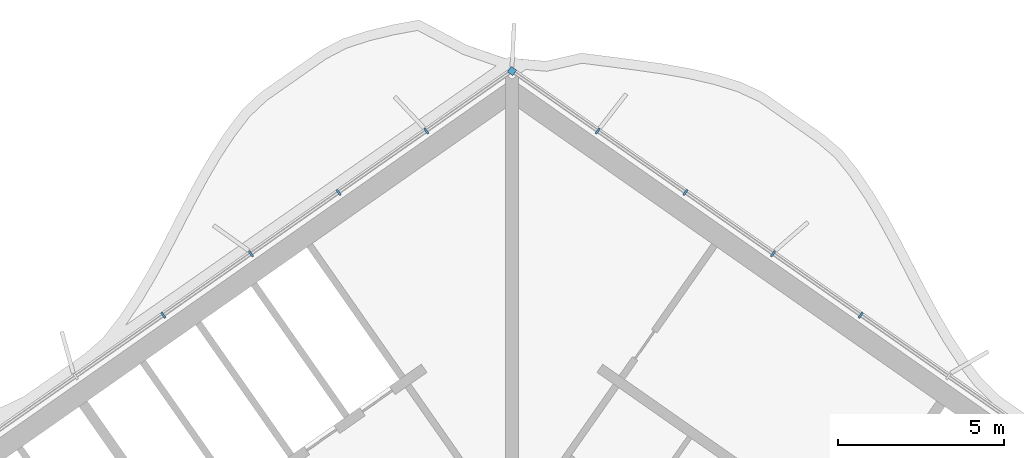
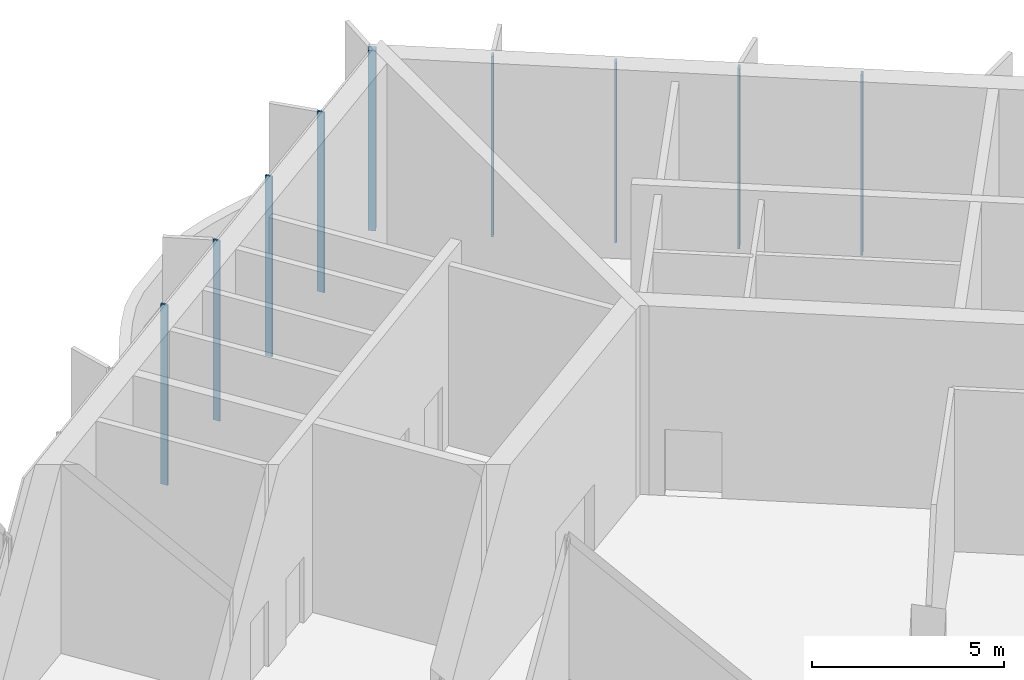
# One storey, part 6 of 18: 9 members, 1 element without a shape of its own.
"""IFC4 building model written with IfcOpenShell, lengths in metres."""

import ifcopenshell
import ifcopenshell.guid

model = None  # the IFC model being written
_history = None  # IfcOwnerHistory: only IFC2X3 demands one
_inside = {}  # id of a spatial element -> (the spatial element, [elements in it])
_under = {}  # id of a project, library or spatial element -> (it, [spatial elements below it])
_declared = {}  # id of a project -> (the project, [libraries it declares])
_typed = {}  # id of a type object -> (the type object, [elements of that type])
_made_of = {}  # id of a material, layer set ... -> (it, [elements and type objects made of it])


def new_model(schema):
    """Start an empty IFC model of exactly this schema.

    Asked for "IFC4X3", IfcOpenShell would pick the latest addendum, in which some entities
    have other attributes; the version numbers below select the first issue.
    IFC2X3 requires an IfcOwnerHistory on every rooted entity: one is made here for all.
    """
    global model, _history
    if schema == "IFC4X3":
        model = ifcopenshell.file(schema_version=(4, 3, 0, 0))
    else:
        model = ifcopenshell.file(schema=schema)
    _inside.clear()
    _under.clear()
    _declared.clear()
    _typed.clear()
    _made_of.clear()
    _history = None
    if model.schema == "IFC2X3":
        org = make("IfcOrganization", Name="unknown")
        user = make(
            "IfcPersonAndOrganization",
            ThePerson=make("IfcPerson", FamilyName="unknown"),
            TheOrganization=org,
        )
        app = make(
            "IfcApplication",
            ApplicationDeveloper=org,
            Version="unknown",
            ApplicationFullName="unknown",
            ApplicationIdentifier="unknown",
        )
        _history = make(
            "IfcOwnerHistory",
            OwningUser=user,
            OwningApplication=app,
            ChangeAction="ADDED",
            CreationDate=0,
        )
    return model


def make(cls, **values):
    """One entity of the class cls with the attributes given. An attribute that is None is left unset."""
    return model.create_entity(
        cls, **{name: value for name, value in values.items() if value is not None}
    )


def rooted(cls, **values):
    """An entity with a GlobalId (a new one), such as an element, a storey or a relation."""
    return make(cls, GlobalId=ifcopenshell.guid.new(), OwnerHistory=_history, **values)


def si_unit(unit_type, name, prefix=None):
    """IfcSIUnit, for example si_unit("LENGTHUNIT", "METRE", prefix="MILLI")."""
    return make("IfcSIUnit", UnitType=unit_type, Prefix=prefix, Name=name)


def assignment(units):
    """IfcUnitAssignment: the units of a project."""
    return None if units is None else make("IfcUnitAssignment", Units=units)


def point(xyz):
    """IfcCartesianPoint."""
    return None if xyz is None else make("IfcCartesianPoint", Coordinates=xyz)


def direction(xyz):
    """IfcDirection."""
    return None if xyz is None else make("IfcDirection", DirectionRatios=xyz)


def frame(location, z_axis=None, x_axis=None):
    """IfcAxis2Placement3D, a coordinate frame: its origin and axes. An axis left out is left unset."""
    return make(
        "IfcAxis2Placement3D",
        Location=point(location),
        Axis=direction(z_axis),
        RefDirection=direction(x_axis),
    )


def frame_2d(location, x_axis=None):
    """IfcAxis2Placement2D, a coordinate frame in the plane: its origin and x axis."""
    return make(
        "IfcAxis2Placement2D", Location=point(location), RefDirection=direction(x_axis)
    )


def origin():
    """The frame at (0, 0, 0) with its axes left unset."""
    return frame((0.0, 0.0, 0.0))


def origin_2d():
    """The frame at (0, 0) in the plane with its x axis left unset."""
    return frame_2d((0.0, 0.0))


def place(relative_to, where):
    """IfcLocalPlacement: puts the frame where relative to a parent placement (None: the world)."""
    return make(
        "IfcLocalPlacement", PlacementRelTo=relative_to, RelativePlacement=where
    )


def context(
    kind, dimensions, precision=None, world=None, true_north=None, identifier=None
):
    """IfcGeometricRepresentationContext, for example the 3D "Model" context."""
    return make(
        "IfcGeometricRepresentationContext",
        ContextIdentifier=identifier,
        ContextType=kind,
        CoordinateSpaceDimension=dimensions,
        Precision=precision,
        WorldCoordinateSystem=world,
        TrueNorth=true_north,
    )


def subcontext(parent, identifier, kind, view, scale=None):
    """IfcGeometricRepresentationSubContext, for example "Body" below "Model"."""
    return make(
        "IfcGeometricRepresentationSubContext",
        ContextIdentifier=identifier,
        ContextType=kind,
        ParentContext=parent,
        TargetScale=scale,
        TargetView=view,
    )


def project(units=None, contexts=None):
    """IfcProject with its units and contexts."""
    return rooted(
        "IfcProject",
        Name="project",
        RepresentationContexts=contexts,
        UnitsInContext=assignment(units),
    )


def spatial(cls, under=None, at=None, **own):
    """A site, building, storey or space (cls), placed at a placement, below another one or the project."""
    s = rooted(cls, ObjectPlacement=at, **own)
    if under is not None:
        _under.setdefault(under.id(), (under, []))[1].append(s)
    return s


def profile(cls, at=None, kind="AREA", **sizes):
    """A parametric profile (cls). Its sizes go by their IFC names, for example OverallWidth=200.0."""
    return make(cls, ProfileType=kind, Position=at, **sizes)


def rectangle(**sizes):
    """IfcRectangleProfileDef."""
    return profile("IfcRectangleProfileDef", **sizes)


def extrude(swept, where, along, depth):
    """IfcExtrudedAreaSolid: the profile swept, set in the frame where, extruded along a direction by depth."""
    return make(
        "IfcExtrudedAreaSolid",
        SweptArea=swept,
        Position=where,
        ExtrudedDirection=direction(along),
        Depth=depth,
    )


def shape(context_of_items, identifier, shape_type, items):
    """IfcShapeRepresentation: the items that make up one representation, for example the "Body"."""
    return make(
        "IfcShapeRepresentation",
        ContextOfItems=context_of_items,
        RepresentationIdentifier=identifier,
        RepresentationType=shape_type,
        Items=items,
    )


def material(Name=None, Category=None):
    """IfcMaterial."""
    return make("IfcMaterial", Name=Name, Category=Category)


def material_profile(
    of_material, cross_section, Name=None, Category=None, Priority=None
):
    """IfcMaterialProfile: a cross section and its material."""
    return make(
        "IfcMaterialProfile",
        Name=Name,
        Material=of_material,
        Profile=cross_section,
        Priority=Priority,
        Category=Category,
    )


def profile_set(profiles, Name=None, composite=None):
    """IfcMaterialProfileSet."""
    return make(
        "IfcMaterialProfileSet",
        Name=Name,
        MaterialProfiles=profiles,
        CompositeProfile=composite,
    )


def made_of(thing, what):
    """Note that an element or type object is made of a material, layer set ...; save() writes the relation."""
    if what is not None:
        _made_of.setdefault(what.id(), (what, []))[1].append(thing)
    return thing


def type_object(cls, material=None, **own):
    """A type object (cls), such as IfcWallType, which elements share."""
    return made_of(rooted(cls, **own), material)


def element(
    cls,
    number,
    at=None,
    inside=None,
    cuts=None,
    type_object=None,
    material=None,
    context=None,
    identifier="Body",
    shape_type=None,
    held_by="IfcProductDefinitionShape",
    body=None,
    shapes=None,
    **own,
):
    """One element of the class cls, such as IfcWall. Its Tag is "e" and its number.

    at: its placement. inside: the storey or other place that contains it. cuts: it is an
    opening in that element (IfcRelVoidsElement). A single representation is given by context,
    identifier, shape_type and body (its items); several are given by shapes. held_by: the class
    of the entity that holds the representations. save() writes the other relations.
    """
    e = rooted(cls, Tag="e%d" % number, ObjectPlacement=at, **own)
    if body is not None:
        shapes = [shape(context, identifier, shape_type, body)]
    if shapes is not None:
        e.Representation = make(held_by, Representations=shapes)
    if inside is not None:
        _inside.setdefault(inside.id(), (inside, []))[1].append(e)
    if cuts is not None:
        rooted(
            "IfcRelVoidsElement", RelatingBuildingElement=cuts, RelatedOpeningElement=e
        )
    if type_object is not None:
        _typed.setdefault(type_object.id(), (type_object, []))[1].append(e)
    return made_of(e, material)


def aggregate(whole, parts):
    """IfcRelAggregates: a whole, such as a stair, and the parts it consists of."""
    return rooted("IfcRelAggregates", RelatingObject=whole, RelatedObjects=parts)


def save(model, path):
    """Write the relations noted so far, then the file.

    IfcRelAggregates (storeys below a building ...), IfcRelContainedInSpatialStructure (elements
    in a storey), IfcRelDefinesByType, IfcRelAssociatesMaterial and IfcRelDeclares: one each for
    every whole, place, type object, material and project.
    """
    for whole, parts in _under.values():
        aggregate(whole, parts)
    for where, things in _inside.values():
        rooted(
            "IfcRelContainedInSpatialStructure",
            RelatedElements=things,
            RelatingStructure=where,
        )
    for kind, things in _typed.values():
        rooted("IfcRelDefinesByType", RelatedObjects=things, RelatingType=kind)
    for what, things in _made_of.values():
        rooted("IfcRelAssociatesMaterial", RelatedObjects=things, RelatingMaterial=what)
    for by, libraries in _declared.values():
        rooted("IfcRelDeclares", RelatingContext=by, RelatedDefinitions=libraries)
    model.write(path)


model = new_model("IFC4")

# Units and contexts
model_context = context("Model", 3, precision=1e-05, world=origin(), true_north=direction((0.0, 1.0)))
body_context = subcontext(model_context, "Body", "Model", "MODEL_VIEW")
ifc_project = project(units=[si_unit("LENGTHUNIT", "METRE"), si_unit("AREAUNIT", "SQUARE_METRE"), si_unit("VOLUMEUNIT", "CUBIC_METRE"), si_unit("PLANEANGLEUNIT", "RADIAN"), si_unit("MASSUNIT", "GRAM", prefix="KILO")], contexts=[model_context])

# Site, building, storey
site_placement = place(None, origin())
site = spatial("IfcSite", under=ifc_project, at=site_placement, CompositionType="ELEMENT")
building_placement = place(site_placement, origin())
building = spatial("IfcBuilding", under=site, at=building_placement, Name="Tel Ilan Convention Tower", CompositionType="ELEMENT")
storey_placement = place(building_placement, frame((0.0, 0.0, 307.300048828125)))
storey = spatial("IfcBuildingStorey", under=building, at=storey_placement, Name="L73", CompositionType="ELEMENT", Elevation=307.300048828125)

# Curtain wall, members
ifc_material_1 = material(Name="Aluminium, bronze anodised", Category="aluminium")
curtain_wall_type = type_object("IfcCurtainWallType", Name="CW2 STICK CURTAIN WALL, SPANDREL PANELS", PredefinedType="NOTDEFINED", material=ifc_material_1)
curtain_wall_placement = place(storey_placement, origin())
curtain_wall = element("IfcCurtainWall", 1, at=curtain_wall_placement, inside=storey, type_object=curtain_wall_type, Name="Curtain wall CW2-55.01", PredefinedType="NOTDEFINED")
ifc_material_2 = material(Name="Aluminium, bronze anodised", Category="aluminium")
ifc_material_profile_1 = material_profile(ifc_material_2, rectangle(XDim=0.199951171875, YDim=0.199951171875, at=origin_2d()), Name="CW CORNER MULLION 200x200")
ifc_profile_set_1 = profile_set([ifc_material_profile_1], Name="Aluminium, bronze anodised")
member_type_1 = type_object("IfcMemberType", Name="CW CORNER MULLION 200x200", PredefinedType="MULLION", material=ifc_profile_set_1)
member_1_placement = place(storey_placement, frame((0.0, 12.696044921875, 0.0), z_axis=(0.0, 0.0, 1.0), x_axis=(-0.819152044289, 0.573576436351, 0.0)))
member_1 = element("IfcMember", 2, at=member_1_placement, type_object=member_type_1, Name="Corner mullion", PredefinedType="MULLION", context=body_context, shape_type="SweptSolid", body=[
    extrude(rectangle(XDim=0.199951171875, YDim=0.199951171875, at=origin_2d()), origin(), (0.0, 0.0, 1.0), 5.719970703125),
])
ifc_material_3 = material(Name="Aluminium, bronze anodised", Category="aluminium")
ifc_material_profile_2 = material_profile(ifc_material_3, rectangle(XDim=0.06005859375, YDim=0.199951171875, at=origin_2d()), Name="CW MULLION 60x200")
ifc_profile_set_2 = profile_set([ifc_material_profile_2], Name="Aluminium, bronze anodised")
member_type_2 = type_object("IfcMemberType", Name="CW MULLION 60x200", PredefinedType="MULLION", material=ifc_profile_set_2)
member_2_placement = place(storey_placement, frame((10.47314453125, 5.36279296875, 0.0), z_axis=(0.0, 0.0, 1.0), x_axis=(-0.819152044289, 0.573576436351, 0.0)))
member_2 = element("IfcMember", 3, at=member_2_placement, type_object=member_type_2, Name="Mullion", PredefinedType="MULLION", context=body_context, shape_type="SweptSolid", body=[
    extrude(rectangle(XDim=0.06005859375, YDim=0.199951171875, at=origin_2d()), origin(), (0.0, 0.0, 1.0), 5.719970703125),
])
member_3_placement = place(storey_placement, frame((7.840576171875, 7.2060546875, 0.0), z_axis=(0.0, 0.0, 1.0), x_axis=(-0.819152044289, 0.573576436351, 0.0)))
member_3 = element("IfcMember", 4, at=member_3_placement, type_object=member_type_2, Name="Mullion", PredefinedType="MULLION", context=body_context, shape_type="SweptSolid", body=[
    extrude(rectangle(XDim=0.06005859375, YDim=0.199951171875, at=origin_2d()), origin(), (0.0, 0.0, 1.0), 5.719970703125),
])
member_4_placement = place(storey_placement, frame((5.207763671875, 9.049560546875, 0.0), z_axis=(0.0, 0.0, 1.0), x_axis=(-0.819152044289, 0.573576436351, 0.0)))
member_4 = element("IfcMember", 5, at=member_4_placement, type_object=member_type_2, Name="Mullion", PredefinedType="MULLION", context=body_context, shape_type="SweptSolid", body=[
    extrude(rectangle(XDim=0.06005859375, YDim=0.199951171875, at=origin_2d()), origin(), (0.0, 0.0, 1.0), 5.719970703125),
])
member_5_placement = place(storey_placement, frame((2.5751953125, 10.892822265625, 0.0), z_axis=(0.0, 0.0, 1.0), x_axis=(-0.819152044289, 0.573576436351, 0.0)))
member_5 = element("IfcMember", 6, at=member_5_placement, type_object=member_type_2, Name="Mullion", PredefinedType="MULLION", context=body_context, shape_type="SweptSolid", body=[
    extrude(rectangle(XDim=0.06005859375, YDim=0.199951171875, at=origin_2d()), origin(), (0.0, 0.0, 1.0), 5.719970703125),
])
member_6_placement = place(storey_placement, frame((-2.5751953125, 10.892822265625, 0.0), z_axis=(0.0, 0.0, 1.0), x_axis=(-0.819152044289, -0.573576436351, 0.0)))
member_6 = element("IfcMember", 7, at=member_6_placement, type_object=member_type_2, Name="Mullion", PredefinedType="MULLION", context=body_context, shape_type="SweptSolid", body=[
    extrude(rectangle(XDim=0.06005859375, YDim=0.199951171875, at=origin_2d()), origin(), (0.0, 0.0, 1.0), 5.719970703125),
])
member_7_placement = place(storey_placement, frame((-5.207763671875, 9.049560546875, 0.0), z_axis=(0.0, 0.0, 1.0), x_axis=(-0.819152044289, -0.573576436351, 0.0)))
member_7 = element("IfcMember", 8, at=member_7_placement, type_object=member_type_2, Name="Mullion", PredefinedType="MULLION", context=body_context, shape_type="SweptSolid", body=[
    extrude(rectangle(XDim=0.06005859375, YDim=0.199951171875, at=origin_2d()), origin(), (0.0, 0.0, 1.0), 5.719970703125),
])
member_8_placement = place(storey_placement, frame((-7.840576171875, 7.2060546875, 0.0), z_axis=(0.0, 0.0, 1.0), x_axis=(-0.819152044289, -0.573576436351, 0.0)))
member_8 = element("IfcMember", 9, at=member_8_placement, type_object=member_type_2, Name="Mullion", PredefinedType="MULLION", context=body_context, shape_type="SweptSolid", body=[
    extrude(rectangle(XDim=0.06005859375, YDim=0.199951171875, at=origin_2d()), origin(), (0.0, 0.0, 1.0), 5.719970703125),
])
member_9_placement = place(storey_placement, frame((-10.47314453125, 5.36279296875, 0.0), z_axis=(0.0, 0.0, 1.0), x_axis=(-0.819152044289, -0.573576436351, 0.0)))
member_9 = element("IfcMember", 10, at=member_9_placement, type_object=member_type_2, Name="Mullion", PredefinedType="MULLION", context=body_context, shape_type="SweptSolid", body=[
    extrude(rectangle(XDim=0.06005859375, YDim=0.199951171875, at=origin_2d()), origin(), (0.0, 0.0, 1.0), 5.719970703125),
])
aggregate(curtain_wall, [member_2, member_3, member_4, member_5, member_1, member_6, member_7, member_8, member_9])

save(model, "model.ifc")
